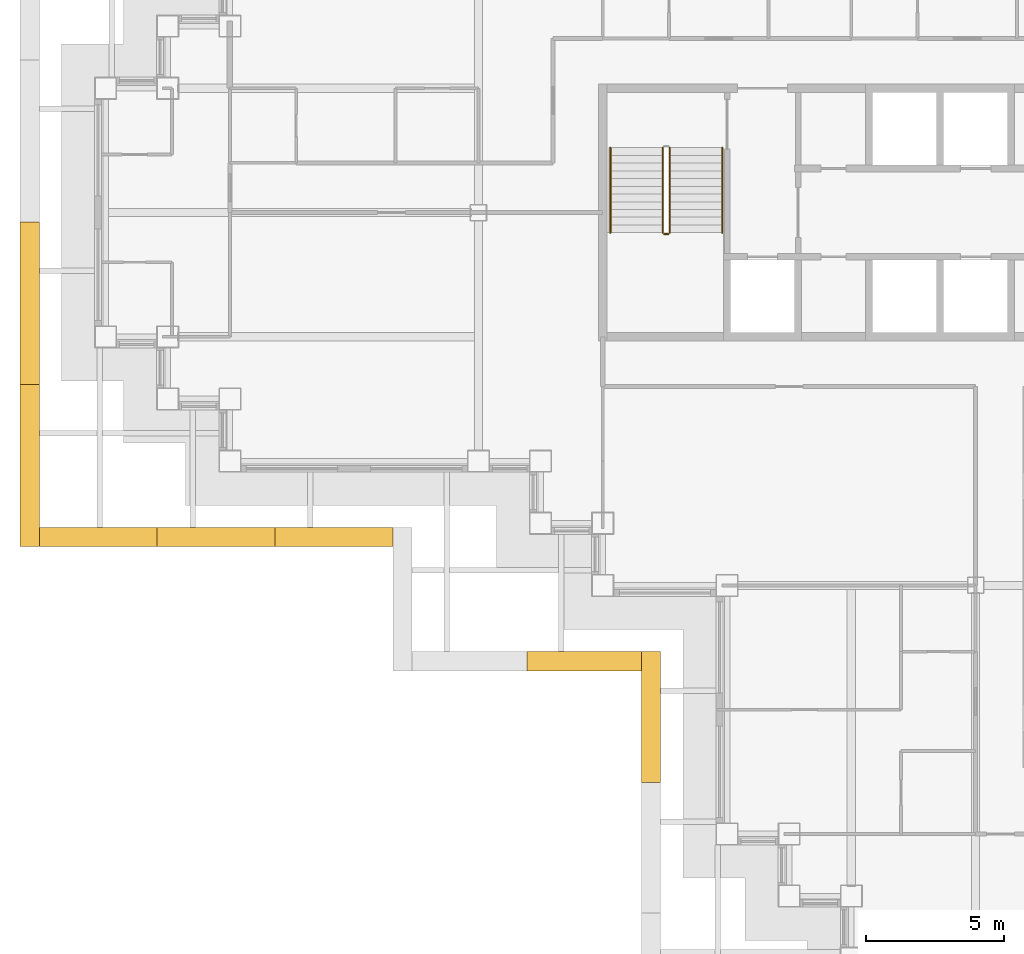
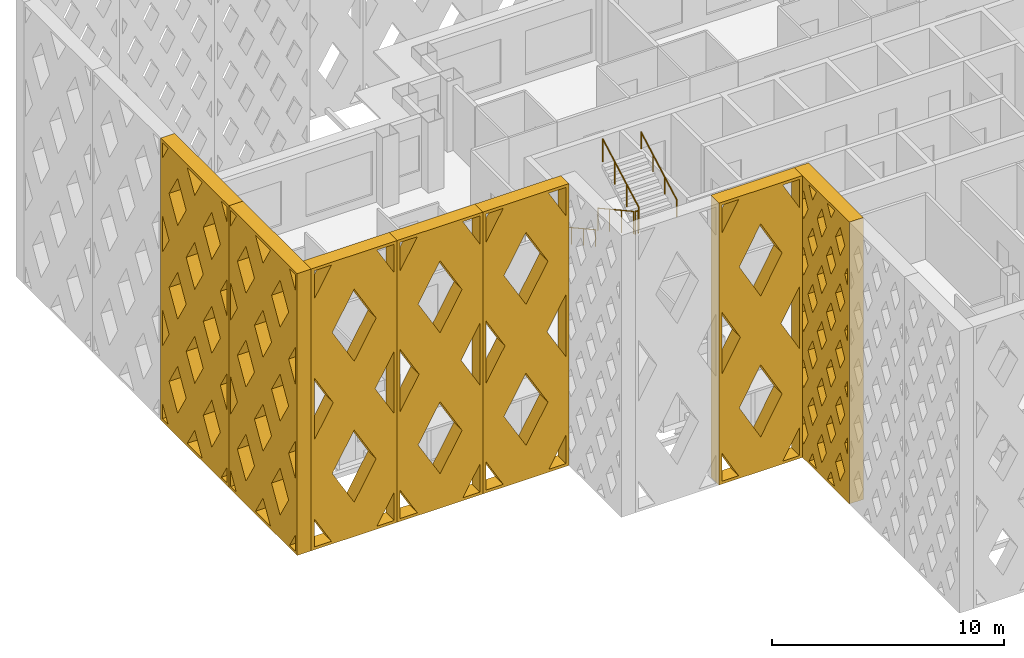
# One storey, part 14 of 19: 7 shading devices, 5 railings.
"""IFC4 building model written with IfcOpenShell, lengths in metres."""

from ifc_helpers import new_model, si_unit, direction, frame, origin, origin_2d, place, context, subcontext, project, spatial, polyline, circle, outline, extrude, material, type_object, element, save


model = new_model("IFC4")

# Units and contexts
model_context = context("Model", 3, precision=1e-05, world=origin(), true_north=direction((0.0, 1.0)))
body_context = subcontext(model_context, "Body", "Model", "MODEL_VIEW")
ifc_project = project(units=[si_unit("LENGTHUNIT", "METRE"), si_unit("AREAUNIT", "SQUARE_METRE"), si_unit("VOLUMEUNIT", "CUBIC_METRE"), si_unit("PLANEANGLEUNIT", "RADIAN"), si_unit("MASSUNIT", "GRAM", prefix="KILO")], contexts=[model_context])

# Site, building, storey
site_placement = place(None, origin())
site = spatial("IfcSite", under=ifc_project, at=site_placement, CompositionType="ELEMENT")
building_placement = place(site_placement, origin())
building = spatial("IfcBuilding", under=site, at=building_placement, Name="Caravel Reach Hotel and Residences", CompositionType="ELEMENT")
storey_placement = place(building_placement, frame((0.0, 0.0, 150.60009765625)))
storey = spatial("IfcBuildingStorey", under=building, at=storey_placement, Name="L37", CompositionType="ELEMENT", Elevation=150.60009765625)

# Shading devices
ifc_material_1 = material(Name="Black powder-coated aluminium", Category="aluminium")
shading_device_type_1 = type_object("IfcShadingDeviceType", Name="Diamond lattice screen panel 4150 x 14800", PredefinedType="USERDEFINED", material=ifc_material_1)
shading_device_1_placement = place(storey_placement, frame((15.25, 11.10009765625, 0.0), z_axis=(0.0, -1.0, 0.0), x_axis=(1.0, 0.0, 0.0)))
element("IfcShadingDevice", 1, at=shading_device_1_placement, inside=storey, type_object=shading_device_type_1, Name="Lattice screen L37-L40 16.2", ObjectType="SCREEN", PredefinedType="USERDEFINED", context=body_context, shape_type="SweptSolid", body=[
    extrude(outline(polyline([(0.0, 0.0), (4.14990234375, 0.0), (4.14990234375, 14.800048828125), (0.0, 14.800048828125), (0.0, 0.0)]), holes=[polyline([(0.97998046875, 0.14990234375), (0.14990234375, 1.6298828125), (0.14990234375, 0.14990234375), (0.97998046875, 0.14990234375)]), polyline([(1.06396484375, 7.39990234375), (0.14990234375, 9.030029296875), (0.14990234375, 5.77001953125), (1.06396484375, 7.39990234375)]), polyline([(0.14990234375, 13.170166015625), (0.97998046875, 14.64990234375), (0.14990234375, 14.64990234375), (0.14990234375, 13.170166015625)]), polyline([(2.074951171875, 5.597412109375), (1.010986328125, 3.699951171875), (2.074951171875, 1.802490234375), (3.13916015625, 3.699951171875), (2.074951171875, 5.597412109375)]), polyline([(2.074951171875, 12.997314453125), (1.010986328125, 11.10009765625), (2.074951171875, 9.20263671875), (3.13916015625, 11.10009765625), (2.074951171875, 12.997314453125)]), polyline([(4.0, 1.6298828125), (3.169921875, 0.14990234375), (4.0, 0.14990234375), (4.0, 1.6298828125)]), polyline([(3.0859375, 7.39990234375), (4.0, 5.77001953125), (4.0, 9.030029296875), (3.0859375, 7.39990234375)]), polyline([(3.169921875, 14.64990234375), (4.0, 13.170166015625), (4.0, 14.64990234375), (3.169921875, 14.64990234375)])]), origin(), (0.0, 0.0, 1.0), 0.7001953125),
])
ifc_material_2 = material(Name="Black powder-coated aluminium", Category="aluminium")
shading_device_type_2 = type_object("IfcShadingDeviceType", Name="Diamond lattice screen panel 4267 x 14800", PredefinedType="USERDEFINED", material=ifc_material_2)
for number, where, z_axis, x_axis, name in (
    (2, (-2.39990234375, 15.60009765625, 0.0), (0.0, -1.0, 0.0), (1.0, 0.0, 0.0), "Lattice screen L37-L40 14.1"),
    (3, (1.86669921875, 15.60009765625, 0.0), (0.0, -1.0, 0.0), (1.0, 0.0, 0.0), "Lattice screen L37-L40 14.2"),
    (4, (6.13330078125, 15.60009765625, 0.0), (0.0, -1.0, 0.0), (1.0, 0.0, 0.0), "Lattice screen L37-L40 14.3"),
):
    element("IfcShadingDevice", number, at=place(storey_placement, frame(where, z_axis=z_axis, x_axis=x_axis)), inside=storey, type_object=shading_device_type_2, Name=name, ObjectType="SCREEN", PredefinedType="USERDEFINED", context=body_context, shape_type="SweptSolid", body=[
        extrude(outline(polyline([(0.0, 0.0), (4.2666015625, 0.0), (4.2666015625, 14.800048828125), (0.0, 14.800048828125), (0.0, 0.0)]), holes=[polyline([(1.005615234375, 0.14990234375), (0.14990234375, 1.634033203125), (0.14990234375, 0.14990234375), (1.005615234375, 0.14990234375)]), polyline([(1.092041015625, 7.39990234375), (0.14990234375, 9.033935546875), (0.14990234375, 5.76611328125), (1.092041015625, 7.39990234375)]), polyline([(0.14990234375, 13.166015625), (1.005615234375, 14.64990234375), (0.14990234375, 14.64990234375), (0.14990234375, 13.166015625)]), polyline([(2.13330078125, 5.593994140625), (1.041259765625, 3.699951171875), (2.13330078125, 1.805908203125), (3.225341796875, 3.699951171875), (2.13330078125, 5.593994140625)]), polyline([(2.13330078125, 12.994140625), (1.041259765625, 11.10009765625), (2.13330078125, 9.205810546875), (3.225341796875, 11.10009765625), (2.13330078125, 12.994140625)]), polyline([(4.11669921875, 1.634033203125), (3.260986328125, 0.14990234375), (4.11669921875, 0.14990234375), (4.11669921875, 1.634033203125)]), polyline([(3.174560546875, 7.39990234375), (4.11669921875, 5.76611328125), (4.11669921875, 9.033935546875), (3.174560546875, 7.39990234375)]), polyline([(3.260986328125, 14.64990234375), (4.11669921875, 13.166015625), (4.11669921875, 14.64990234375), (3.260986328125, 14.64990234375)])]), origin(), (0.0, 0.0, 1.0), 0.7001953125),
    ])
ifc_material_3 = material(Name="Black powder-coated aluminium", Category="aluminium")
shading_device_type_3 = type_object("IfcShadingDeviceType", Name="Diamond lattice screen panel 4733 x 14800", PredefinedType="USERDEFINED", material=ifc_material_3)
shading_device_2_placement = place(storey_placement, frame((20.10009765625, 11.10009765625, 0.0), z_axis=(-1.0, 0.0, 0.0), x_axis=(0.0, -1.0, 0.0)))
element("IfcShadingDevice", 5, at=shading_device_2_placement, inside=storey, type_object=shading_device_type_3, Name="Lattice screen L37-L40 1.1", ObjectType="SCREEN", PredefinedType="USERDEFINED", context=body_context, shape_type="SweptSolid", body=[
    extrude(outline(polyline([(0.0, 0.0), (4.7333984375, 0.0), (4.7333984375, 14.800048828125), (0.0, 14.800048828125), (0.0, 0.0)]), holes=[polyline([(0.398681640625, 2.9599609375), (0.14990234375, 3.4267578125), (0.14990234375, 2.493408203125), (0.398681640625, 2.9599609375)]), polyline([(0.398681640625, 5.919921875), (0.14990234375, 6.38671875), (0.14990234375, 5.453369140625), (0.398681640625, 5.919921875)]), polyline([(0.398681640625, 8.8798828125), (0.14990234375, 9.3466796875), (0.14990234375, 8.413330078125), (0.398681640625, 8.8798828125)]), polyline([(0.398681640625, 11.840087890625), (0.14990234375, 12.306640625), (0.14990234375, 11.373291015625), (0.398681640625, 11.840087890625)]), polyline([(0.788818359375, 2.22802734375), (0.39013671875, 1.47998046875), (0.788818359375, 0.73193359375), (1.187744140625, 1.47998046875), (0.788818359375, 2.22802734375)]), polyline([(0.788818359375, 5.18798828125), (0.39013671875, 4.43994140625), (0.788818359375, 3.69189453125), (1.187744140625, 4.43994140625), (0.788818359375, 5.18798828125)]), polyline([(0.788818359375, 8.14794921875), (0.39013671875, 7.39990234375), (0.788818359375, 6.65185546875), (1.187744140625, 7.39990234375), (0.788818359375, 8.14794921875)]), polyline([(0.788818359375, 11.108154296875), (0.39013671875, 10.360107421875), (0.788818359375, 9.612060546875), (1.187744140625, 10.360107421875), (0.788818359375, 11.108154296875)]), polyline([(0.788818359375, 14.068115234375), (0.39013671875, 13.320068359375), (0.788818359375, 12.572021484375), (1.187744140625, 13.320068359375), (0.788818359375, 14.068115234375)]), polyline([(1.577880859375, 0.748046875), (1.259033203125, 0.14990234375), (1.896484375, 0.14990234375), (1.577880859375, 0.748046875)]), polyline([(1.577880859375, 3.7080078125), (1.178955078125, 2.9599609375), (1.577880859375, 2.2119140625), (1.9765625, 2.9599609375), (1.577880859375, 3.7080078125)]), polyline([(1.577880859375, 6.66796875), (1.178955078125, 5.919921875), (1.577880859375, 5.171875), (1.9765625, 5.919921875), (1.577880859375, 6.66796875)]), polyline([(1.577880859375, 9.6279296875), (1.178955078125, 8.8798828125), (1.577880859375, 8.1318359375), (1.9765625, 8.8798828125), (1.577880859375, 9.6279296875)]), polyline([(1.577880859375, 12.588134765625), (1.178955078125, 11.840087890625), (1.577880859375, 11.092041015625), (1.9765625, 11.840087890625), (1.577880859375, 12.588134765625)]), polyline([(1.577880859375, 14.052001953125), (1.896484375, 14.64990234375), (1.259033203125, 14.64990234375), (1.577880859375, 14.052001953125)]), polyline([(2.36669921875, 2.22802734375), (1.968017578125, 1.47998046875), (2.36669921875, 0.73193359375), (2.765380859375, 1.47998046875), (2.36669921875, 2.22802734375)]), polyline([(2.36669921875, 5.18798828125), (1.968017578125, 4.43994140625), (2.36669921875, 3.69189453125), (2.765380859375, 4.43994140625), (2.36669921875, 5.18798828125)]), polyline([(2.36669921875, 8.14794921875), (1.968017578125, 7.39990234375), (2.36669921875, 6.65185546875), (2.765380859375, 7.39990234375), (2.36669921875, 8.14794921875)]), polyline([(2.36669921875, 11.108154296875), (1.968017578125, 10.360107421875), (2.36669921875, 9.612060546875), (2.765380859375, 10.360107421875), (2.36669921875, 11.108154296875)]), polyline([(2.36669921875, 14.068115234375), (1.968017578125, 13.320068359375), (2.36669921875, 12.572021484375), (2.765380859375, 13.320068359375), (2.36669921875, 14.068115234375)]), polyline([(3.155517578125, 0.748046875), (2.836669921875, 0.14990234375), (3.474365234375, 0.14990234375), (3.155517578125, 0.748046875)]), polyline([(3.155517578125, 3.7080078125), (2.7568359375, 2.9599609375), (3.155517578125, 2.2119140625), (3.55419921875, 2.9599609375), (3.155517578125, 3.7080078125)]), polyline([(3.155517578125, 6.66796875), (2.7568359375, 5.919921875), (3.155517578125, 5.171875), (3.55419921875, 5.919921875), (3.155517578125, 6.66796875)]), polyline([(3.155517578125, 9.6279296875), (2.7568359375, 8.8798828125), (3.155517578125, 8.1318359375), (3.55419921875, 8.8798828125), (3.155517578125, 9.6279296875)]), polyline([(3.155517578125, 12.588134765625), (2.7568359375, 11.840087890625), (3.155517578125, 11.092041015625), (3.55419921875, 11.840087890625), (3.155517578125, 12.588134765625)]), polyline([(3.155517578125, 14.052001953125), (3.474365234375, 14.64990234375), (2.836669921875, 14.64990234375), (3.155517578125, 14.052001953125)]), polyline([(3.9443359375, 2.22802734375), (3.545654296875, 1.47998046875), (3.9443359375, 0.73193359375), (4.34326171875, 1.47998046875), (3.9443359375, 2.22802734375)]), polyline([(3.9443359375, 5.18798828125), (3.545654296875, 4.43994140625), (3.9443359375, 3.69189453125), (4.34326171875, 4.43994140625), (3.9443359375, 5.18798828125)]), polyline([(3.9443359375, 8.14794921875), (3.545654296875, 7.39990234375), (3.9443359375, 6.65185546875), (4.34326171875, 7.39990234375), (3.9443359375, 8.14794921875)]), polyline([(3.9443359375, 11.108154296875), (3.545654296875, 10.360107421875), (3.9443359375, 9.612060546875), (4.34326171875, 10.360107421875), (3.9443359375, 11.108154296875)]), polyline([(3.9443359375, 14.068115234375), (3.545654296875, 13.320068359375), (3.9443359375, 12.572021484375), (4.34326171875, 13.320068359375), (3.9443359375, 14.068115234375)]), polyline([(4.334716796875, 2.9599609375), (4.583251953125, 2.493408203125), (4.583251953125, 3.4267578125), (4.334716796875, 2.9599609375)]), polyline([(4.334716796875, 5.919921875), (4.583251953125, 5.453369140625), (4.583251953125, 6.38671875), (4.334716796875, 5.919921875)]), polyline([(4.334716796875, 8.8798828125), (4.583251953125, 8.413330078125), (4.583251953125, 9.3466796875), (4.334716796875, 8.8798828125)]), polyline([(4.334716796875, 11.840087890625), (4.583251953125, 11.373291015625), (4.583251953125, 12.306640625), (4.334716796875, 11.840087890625)])]), origin(), (0.0, 0.0, 1.0), 0.7001953125),
])
ifc_material_4 = material(Name="Black powder-coated aluminium", Category="aluminium")
shading_device_type_4 = type_object("IfcShadingDeviceType", Name="Diamond lattice screen panel 5875 x 14800", PredefinedType="USERDEFINED", material=ifc_material_4)
shading_device_3_placement = place(storey_placement, frame((-2.39990234375, 26.64990234375, 0.0), z_axis=(-1.0, 0.0, 0.0), x_axis=(0.0, -1.0, 0.0)))
element("IfcShadingDevice", 6, at=shading_device_3_placement, inside=storey, type_object=shading_device_type_4, Name="Lattice screen L37-L40 13.3", ObjectType="SCREEN", PredefinedType="USERDEFINED", context=body_context, shape_type="SweptSolid", body=[
    extrude(outline(polyline([(0.0, 0.0), (5.875, 0.0), (5.875, 14.800048828125), (0.0, 14.800048828125), (0.0, 0.0)]), holes=[polyline([(0.647216796875, 0.14990234375), (0.14990234375, 0.985107421875), (0.14990234375, 0.14990234375), (0.647216796875, 0.14990234375)]), polyline([(0.736572265625, 4.933349609375), (0.14990234375, 5.91845703125), (0.14990234375, 3.9482421875), (0.736572265625, 4.933349609375)]), polyline([(0.736572265625, 9.86669921875), (0.14990234375, 10.851806640625), (0.14990234375, 8.881591796875), (0.736572265625, 9.86669921875)]), polyline([(0.14990234375, 13.81494140625), (0.647216796875, 14.64990234375), (0.14990234375, 14.64990234375), (0.14990234375, 13.81494140625)]), polyline([(1.46875, 3.70361328125), (0.732177734375, 2.466552734375), (1.46875, 1.2294921875), (2.205322265625, 2.466552734375), (1.46875, 3.70361328125)]), polyline([(1.46875, 8.636962890625), (0.732177734375, 7.39990234375), (1.46875, 6.162841796875), (2.205322265625, 7.39990234375), (1.46875, 8.636962890625)]), polyline([(1.46875, 13.5703125), (0.732177734375, 12.333251953125), (1.46875, 11.09619140625), (2.205322265625, 12.333251953125), (1.46875, 13.5703125)]), polyline([(2.9375, 1.237060546875), (2.290283203125, 0.14990234375), (3.584716796875, 0.14990234375), (2.9375, 1.237060546875)]), polyline([(2.9375, 6.17041015625), (2.200927734375, 4.933349609375), (2.9375, 3.6962890625), (3.674072265625, 4.933349609375), (2.9375, 6.17041015625)]), polyline([(2.9375, 11.103759765625), (2.200927734375, 9.86669921875), (2.9375, 8.629638671875), (3.674072265625, 9.86669921875), (2.9375, 11.103759765625)]), polyline([(2.9375, 13.56298828125), (3.584716796875, 14.64990234375), (2.290283203125, 14.64990234375), (2.9375, 13.56298828125)]), polyline([(4.40625, 3.70361328125), (3.669677734375, 2.466552734375), (4.40625, 1.2294921875), (5.142822265625, 2.466552734375), (4.40625, 3.70361328125)]), polyline([(4.40625, 8.636962890625), (3.669677734375, 7.39990234375), (4.40625, 6.162841796875), (5.142822265625, 7.39990234375), (4.40625, 8.636962890625)]), polyline([(4.40625, 13.5703125), (3.669677734375, 12.333251953125), (4.40625, 11.09619140625), (5.142822265625, 12.333251953125), (4.40625, 13.5703125)]), polyline([(5.72509765625, 0.985107421875), (5.227783203125, 0.14990234375), (5.72509765625, 0.14990234375), (5.72509765625, 0.985107421875)]), polyline([(5.138427734375, 4.933349609375), (5.72509765625, 3.9482421875), (5.72509765625, 5.91845703125), (5.138427734375, 4.933349609375)]), polyline([(5.138427734375, 9.86669921875), (5.72509765625, 8.881591796875), (5.72509765625, 10.851806640625), (5.138427734375, 9.86669921875)]), polyline([(5.227783203125, 14.64990234375), (5.72509765625, 13.81494140625), (5.72509765625, 14.64990234375), (5.227783203125, 14.64990234375)])]), origin(), (0.0, 0.0, 1.0), 0.7001953125),
])
shading_device_4_placement = place(storey_placement, frame((-2.39990234375, 20.77490234375, 0.0), z_axis=(-1.0, 0.0, 0.0), x_axis=(0.0, -1.0, 0.0)))
element("IfcShadingDevice", 7, at=shading_device_4_placement, inside=storey, type_object=shading_device_type_4, Name="Lattice screen L37-L40 13.4", ObjectType="SCREEN", PredefinedType="USERDEFINED", context=body_context, shape_type="SweptSolid", body=[
    extrude(outline(polyline([(0.0, 0.0), (5.875, 0.0), (5.875, 14.800048828125), (0.0, 14.800048828125), (0.0, 0.0)]), holes=[polyline([(0.647216796875, 0.14990234375), (0.14990234375, 0.985107421875), (0.14990234375, 0.14990234375), (0.647216796875, 0.14990234375)]), polyline([(0.736572265625, 4.933349609375), (0.14990234375, 5.91845703125), (0.14990234375, 3.9482421875), (0.736572265625, 4.933349609375)]), polyline([(0.736572265625, 9.86669921875), (0.14990234375, 10.851806640625), (0.14990234375, 8.881591796875), (0.736572265625, 9.86669921875)]), polyline([(0.14990234375, 13.81494140625), (0.647216796875, 14.64990234375), (0.14990234375, 14.64990234375), (0.14990234375, 13.81494140625)]), polyline([(1.46875, 3.70361328125), (0.732177734375, 2.466552734375), (1.46875, 1.2294921875), (2.205322265625, 2.466552734375), (1.46875, 3.70361328125)]), polyline([(1.46875, 8.636962890625), (0.732177734375, 7.39990234375), (1.46875, 6.162841796875), (2.205322265625, 7.39990234375), (1.46875, 8.636962890625)]), polyline([(1.46875, 13.5703125), (0.732177734375, 12.333251953125), (1.46875, 11.09619140625), (2.205322265625, 12.333251953125), (1.46875, 13.5703125)]), polyline([(2.9375, 1.237060546875), (2.290283203125, 0.14990234375), (3.584716796875, 0.14990234375), (2.9375, 1.237060546875)]), polyline([(2.9375, 6.17041015625), (2.200927734375, 4.933349609375), (2.9375, 3.6962890625), (3.674072265625, 4.933349609375), (2.9375, 6.17041015625)]), polyline([(2.9375, 11.103759765625), (2.200927734375, 9.86669921875), (2.9375, 8.629638671875), (3.674072265625, 9.86669921875), (2.9375, 11.103759765625)]), polyline([(2.9375, 13.56298828125), (3.584716796875, 14.64990234375), (2.290283203125, 14.64990234375), (2.9375, 13.56298828125)]), polyline([(4.40625, 3.70361328125), (3.669677734375, 2.466552734375), (4.40625, 1.2294921875), (5.142822265625, 2.466552734375), (4.40625, 3.70361328125)]), polyline([(4.40625, 8.636962890625), (3.669677734375, 7.39990234375), (4.40625, 6.162841796875), (5.142822265625, 7.39990234375), (4.40625, 8.636962890625)]), polyline([(4.40625, 13.5703125), (3.669677734375, 12.333251953125), (4.40625, 11.09619140625), (5.142822265625, 12.333251953125), (4.40625, 13.5703125)]), polyline([(5.72509765625, 0.985107421875), (5.227783203125, 0.14990234375), (5.72509765625, 0.14990234375), (5.72509765625, 0.985107421875)]), polyline([(5.138427734375, 4.933349609375), (5.72509765625, 3.9482421875), (5.72509765625, 5.91845703125), (5.138427734375, 4.933349609375)]), polyline([(5.138427734375, 9.86669921875), (5.72509765625, 8.881591796875), (5.72509765625, 10.851806640625), (5.138427734375, 9.86669921875)]), polyline([(5.227783203125, 14.64990234375), (5.72509765625, 13.81494140625), (5.72509765625, 14.64990234375), (5.227783203125, 14.64990234375)])]), origin(), (0.0, 0.0, 1.0), 0.7001953125),
])

# Railings
ifc_material_5 = material(Name="Steel balustrade with glass infill", Category="steel")
railing_type_1 = type_object("IfcRailingType", Name="Guard 1200", PredefinedType="GUARDRAIL", material=ifc_material_5)
railing_1_placement = place(storey_placement, frame((20.175048828125, 29.35009765625, 0.154052734375)))
element("IfcRailing", 8, at=railing_1_placement, inside=storey, type_object=railing_type_1, Name="L37 ST-A stair guard 1", PredefinedType="GUARDRAIL", context=body_context, shape_type="SweptSolid", body=[
    extrude(circle(Radius=0.02392578125, at=origin_2d()), frame((0.0, 0.0, 1.17578125), z_axis=(0.0, -0.876004717809, 0.482302534076), x_axis=(1.0, 0.0, 0.0)), (0.0, 0.0, 1.0), 3.51611328125),
    extrude(circle(Radius=0.02099609375, at=origin_2d()), origin(), (0.0, 0.0, 1.0), 1.15185546875),
    extrude(circle(Radius=0.02099609375, at=origin_2d()), frame((0.0, -1.026611328125, 0.565185546875)), (0.0, 0.0, 1.0), 1.15185546875),
    extrude(circle(Radius=0.02099609375, at=origin_2d()), frame((0.0, -2.053466796875, 1.130615234375)), (0.0, 0.0, 1.0), 1.15185546875),
    extrude(circle(Radius=0.02099609375, at=origin_2d()), frame((0.0, -3.080078125, 1.69580078125)), (0.0, 0.0, 1.0), 1.15185546875),
])
railing_2_placement = place(storey_placement, frame((20.22509765625, 26.219970703125, 1.849853515625)))
element("IfcRailing", 9, at=railing_2_placement, inside=storey, type_object=railing_type_1, Name="L37 ST-A stair guard 2", PredefinedType="GUARDRAIL", context=body_context, shape_type="SweptSolid", body=[
    extrude(circle(Radius=0.02392578125, at=origin_2d()), frame((0.0, 0.0, 1.17578125), z_axis=(1.0, 0.0, 0.0), x_axis=(0.0, 1.0, 0.0)), (0.0, 0.0, 1.0), 0.14990234375),
    extrude(circle(Radius=0.02099609375, at=origin_2d()), origin(), (0.0, 0.0, 1.0), 1.15185546875),
    extrude(circle(Radius=0.02099609375, at=origin_2d()), frame((0.14990234375, 0.0, 0.0)), (0.0, 0.0, 1.0), 1.15185546875),
])
railing_3_placement = place(storey_placement, frame((20.425048828125, 26.27001953125, 2.004150390625)))
element("IfcRailing", 10, at=railing_3_placement, inside=storey, type_object=railing_type_1, Name="L37 ST-A stair guard 3", PredefinedType="GUARDRAIL", context=body_context, shape_type="SweptSolid", body=[
    extrude(circle(Radius=0.02392578125, at=origin_2d()), frame((0.0, 0.0, 1.17578125), z_axis=(0.0, 0.876004717809, 0.482302534076), x_axis=(-1.0, 0.0, 0.0)), (0.0, 0.0, 1.0), 3.51611328125),
    extrude(circle(Radius=0.02099609375, at=origin_2d()), origin(), (0.0, 0.0, 1.0), 1.15185546875),
    extrude(circle(Radius=0.02099609375, at=origin_2d()), frame((0.0, 1.026611328125, 0.565185546875)), (0.0, 0.0, 1.0), 1.15185546875),
    extrude(circle(Radius=0.02099609375, at=origin_2d()), frame((0.0, 2.053466796875, 1.130615234375)), (0.0, 0.0, 1.0), 1.15185546875),
    extrude(circle(Radius=0.02099609375, at=origin_2d()), frame((0.0, 3.080078125, 1.69580078125)), (0.0, 0.0, 1.0), 1.15185546875),
])
ifc_material_6 = material(Name="Stainless steel handrail", Category="steel")
railing_type_2 = type_object("IfcRailingType", Name="Handrail 900", PredefinedType="HANDRAIL", material=ifc_material_6)
railing_4_placement = place(storey_placement, frame((18.27490234375, 29.35009765625, 0.154052734375)))
element("IfcRailing", 11, at=railing_4_placement, inside=storey, type_object=railing_type_2, Name="L37 ST-A stair handrail 1", PredefinedType="HANDRAIL", context=body_context, shape_type="SweptSolid", body=[
    extrude(circle(Radius=0.02392578125, at=origin_2d()), frame((0.0, 0.0, 0.8759765625), z_axis=(0.0, -0.876004717809, 0.482302534076), x_axis=(1.0, 0.0, 0.0)), (0.0, 0.0, 1.0), 3.51611328125),
    extrude(circle(Radius=0.02099609375, at=origin_2d()), origin(), (0.0, 0.0, 1.0), 0.851806640625),
    extrude(circle(Radius=0.02099609375, at=origin_2d()), frame((0.0, -1.026611328125, 0.565185546875)), (0.0, 0.0, 1.0), 0.851806640625),
    extrude(circle(Radius=0.02099609375, at=origin_2d()), frame((0.0, -2.053466796875, 1.130615234375)), (0.0, 0.0, 1.0), 0.851806640625),
    extrude(circle(Radius=0.02099609375, at=origin_2d()), frame((0.0, -3.080078125, 1.69580078125)), (0.0, 0.0, 1.0), 0.851806640625),
])
railing_5_placement = place(storey_placement, frame((22.324951171875, 26.27001953125, 2.004150390625)))
element("IfcRailing", 12, at=railing_5_placement, inside=storey, type_object=railing_type_2, Name="L37 ST-A stair handrail 2", PredefinedType="HANDRAIL", context=body_context, shape_type="SweptSolid", body=[
    extrude(circle(Radius=0.02392578125, at=origin_2d()), frame((0.0, 0.0, 0.8759765625), z_axis=(0.0, 0.876004717809, 0.482302534076), x_axis=(-1.0, 0.0, 0.0)), (0.0, 0.0, 1.0), 3.51611328125),
    extrude(circle(Radius=0.02099609375, at=origin_2d()), origin(), (0.0, 0.0, 1.0), 0.851806640625),
    extrude(circle(Radius=0.02099609375, at=origin_2d()), frame((0.0, 1.026611328125, 0.565185546875)), (0.0, 0.0, 1.0), 0.851806640625),
    extrude(circle(Radius=0.02099609375, at=origin_2d()), frame((0.0, 2.053466796875, 1.130615234375)), (0.0, 0.0, 1.0), 0.851806640625),
    extrude(circle(Radius=0.02099609375, at=origin_2d()), frame((0.0, 3.080078125, 1.69580078125)), (0.0, 0.0, 1.0), 0.851806640625),
])

save(model, "model.ifc")
